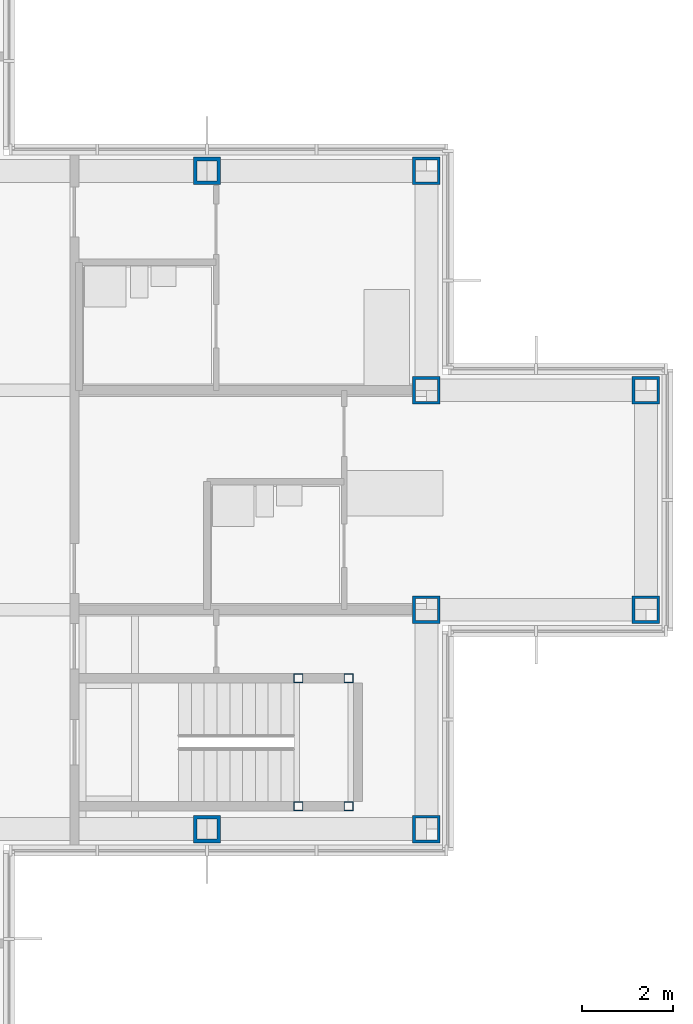
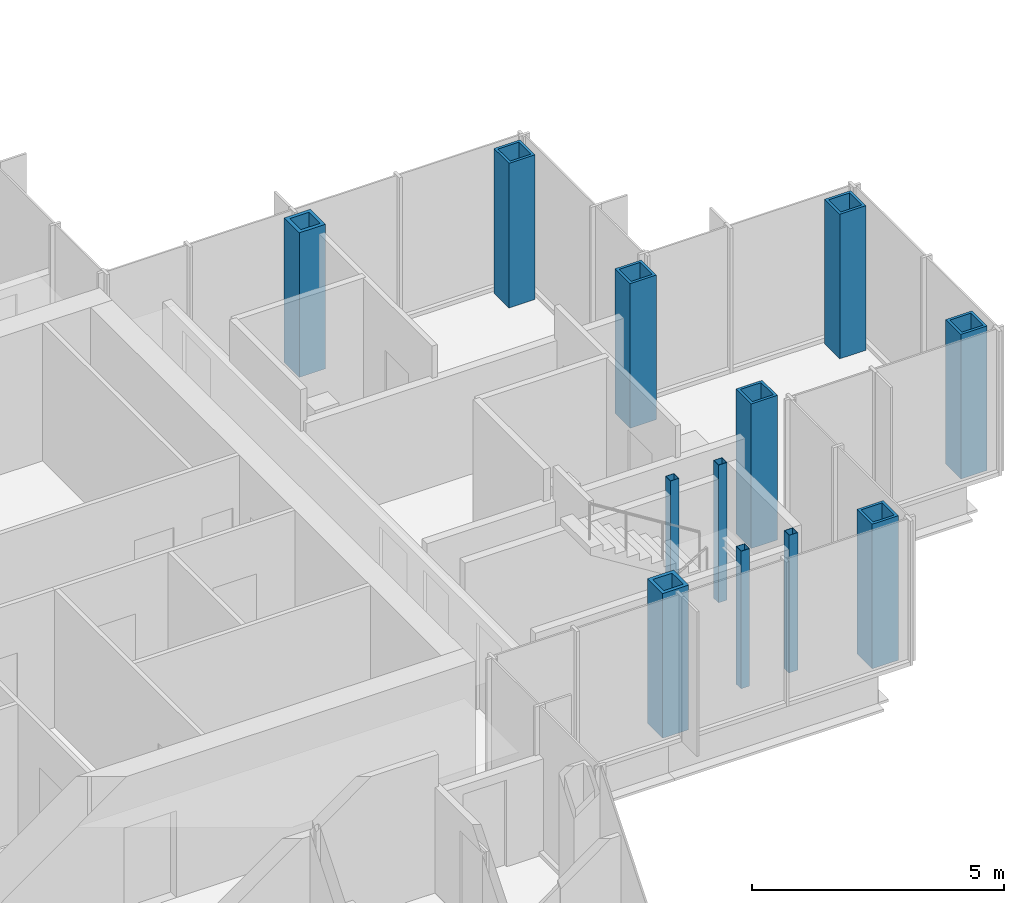
# One storey, part 4 of 17: 12 columns.
"""IFC4 building model written with IfcOpenShell, lengths in metres."""

from ifc_helpers import new_model, si_unit, direction, frame, origin, origin_2d, place, context, subcontext, project, spatial, hollow_rectangle, extrude, material, material_profile, profile_set, type_object, element, save


model = new_model("IFC4")

# Units and contexts
model_context = context("Model", 3, precision=1e-05, world=origin(), true_north=direction((0.0, 1.0)))
body_context = subcontext(model_context, "Body", "Model", "MODEL_VIEW")
ifc_project = project(units=[si_unit("LENGTHUNIT", "METRE"), si_unit("AREAUNIT", "SQUARE_METRE"), si_unit("VOLUMEUNIT", "CUBIC_METRE"), si_unit("PLANEANGLEUNIT", "RADIAN"), si_unit("MASSUNIT", "GRAM", prefix="KILO")], contexts=[model_context])

# Site, building, storey
site_placement = place(None, origin())
site = spatial("IfcSite", under=ifc_project, at=site_placement, CompositionType="ELEMENT")
building_placement = place(site_placement, origin())
building = spatial("IfcBuilding", under=site, at=building_placement, Name="Kvirike Care Tower", CompositionType="ELEMENT")
storey_placement = place(building_placement, frame((0.0, 0.0, 169.0)))
storey = spatial("IfcBuildingStorey", under=building, at=storey_placement, Name="L46", CompositionType="ELEMENT", Elevation=169.0)

# Columns
ifc_material_1 = material(Name="Steel S460", Category="steel")
ifc_material_profile_1 = material_profile(ifc_material_1, hollow_rectangle(XDim=0.60009765625, YDim=0.60009765625, WallThickness=0.06005859375, at=origin_2d()), Name="BX 600x600x60")
ifc_profile_set_1 = profile_set([ifc_material_profile_1], Name="Steel S460")
column_type_1 = type_object("IfcColumnType", Name="COLUMN BX 600x600x60", PredefinedType="COLUMN", material=ifc_profile_set_1)
for number, where, z_axis, x_axis, name in (
    (1, (38.39990234375, 28.800048828125, 0.0), (0.0, 0.0, 1.0), (0.0, 1.0, 0.0), "Column G11 L46"),
    (2, (38.39990234375, 33.60009765625, 0.0), (0.0, 0.0, 1.0), (0.0, 1.0, 0.0), "Column H11 L46"),
    (3, (38.39990234375, 38.39990234375, 0.0), (0.0, 0.0, 1.0), (0.0, 1.0, 0.0), "Column J11 L46"),
    (4, (38.39990234375, 43.199951171875, 0.0), (0.0, 0.0, 1.0), (0.0, 1.0, 0.0), "Column K11 L46"),
    (5, (43.199951171875, 33.60009765625, 0.0), (0.0, 0.0, 1.0), (0.0, 1.0, 0.0), "Column H12 L46"),
    (6, (43.199951171875, 38.39990234375, 0.0), (0.0, 0.0, 1.0), (0.0, 1.0, 0.0), "Column J12 L46"),
):
    element("IfcColumn", number, at=place(storey_placement, frame(where, z_axis=z_axis, x_axis=x_axis)), inside=storey, type_object=column_type_1, Name=name, PredefinedType="COLUMN", context=body_context, shape_type="SweptSolid", body=[
        extrude(hollow_rectangle(XDim=0.60009765625, YDim=0.60009765625, WallThickness=0.06005859375, at=origin_2d()), origin(), (0.0, 0.0, 1.0), 3.5),
    ])
ifc_material_2 = material(Name="Steel S460", Category="steel")
ifc_material_profile_2 = material_profile(ifc_material_2, hollow_rectangle(XDim=0.60009765625, YDim=0.60009765625, WallThickness=0.080078125, at=origin_2d()), Name="BX 600x600x80")
ifc_profile_set_2 = profile_set([ifc_material_profile_2], Name="Steel S460")
column_type_2 = type_object("IfcColumnType", Name="COLUMN BX 600x600x80", PredefinedType="COLUMN", material=ifc_profile_set_2)
for number, where, z_axis, x_axis, name in (
    (7, (33.60009765625, 28.800048828125, 0.0), (0.0, 0.0, 1.0), (0.0, 1.0, 0.0), "Column G10 L46"),
    (8, (33.60009765625, 43.199951171875, 0.0), (0.0, 0.0, 1.0), (0.0, 1.0, 0.0), "Column K10 L46"),
):
    element("IfcColumn", number, at=place(storey_placement, frame(where, z_axis=z_axis, x_axis=x_axis)), inside=storey, type_object=column_type_2, Name=name, PredefinedType="COLUMN", context=body_context, shape_type="SweptSolid", body=[
        extrude(hollow_rectangle(XDim=0.60009765625, YDim=0.60009765625, WallThickness=0.080078125, at=origin_2d()), origin(), (0.0, 0.0, 1.0), 3.5),
    ])
ifc_material_3 = material(Name="Steel S460", Category="steel")
ifc_material_profile_3 = material_profile(ifc_material_3, hollow_rectangle(XDim=0.199951171875, YDim=0.199951171875, WallThickness=0.008056640625, at=origin_2d()), Name="SHS 200x200x8")
ifc_profile_set_3 = profile_set([ifc_material_profile_3], Name="Steel S460")
column_type_3 = type_object("IfcColumnType", Name="STAIR POST SHS 200x200x8", PredefinedType="COLUMN", material=ifc_profile_set_3)
for number, where, z_axis, x_axis, name in (
    (9, (36.699951171875, 29.300048828125, 0.0), (0.0, 0.0, 1.0), (1.0, 0.0, 0.0), "Stair 2 post 1 L46"),
    (10, (36.699951171875, 32.10009765625, 0.0), (0.0, 0.0, 1.0), (1.0, 0.0, 0.0), "Stair 2 post 2 L46"),
    (11, (35.60009765625, 29.300048828125, 0.0), (0.0, 0.0, 1.0), (1.0, 0.0, 0.0), "Stair 2 post 3 L46"),
    (12, (35.60009765625, 32.10009765625, 0.0), (0.0, 0.0, 1.0), (1.0, 0.0, 0.0), "Stair 2 post 4 L46"),
):
    element("IfcColumn", number, at=place(storey_placement, frame(where, z_axis=z_axis, x_axis=x_axis)), inside=storey, type_object=column_type_3, Name=name, PredefinedType="COLUMN", context=body_context, shape_type="SweptSolid", body=[
        extrude(hollow_rectangle(XDim=0.199951171875, YDim=0.199951171875, WallThickness=0.008056640625, at=origin_2d()), origin(), (0.0, 0.0, 1.0), 3.330078125),
    ])

save(model, "model.ifc")
